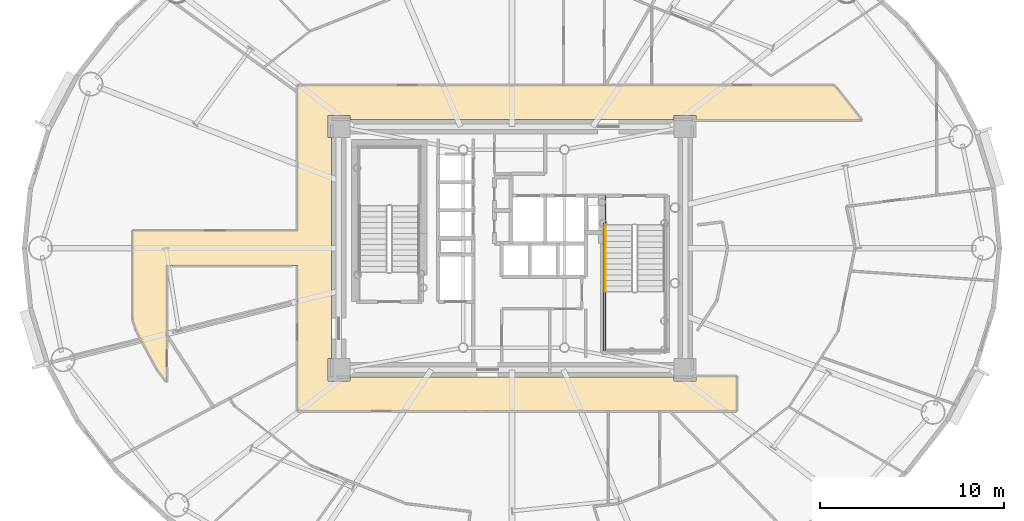
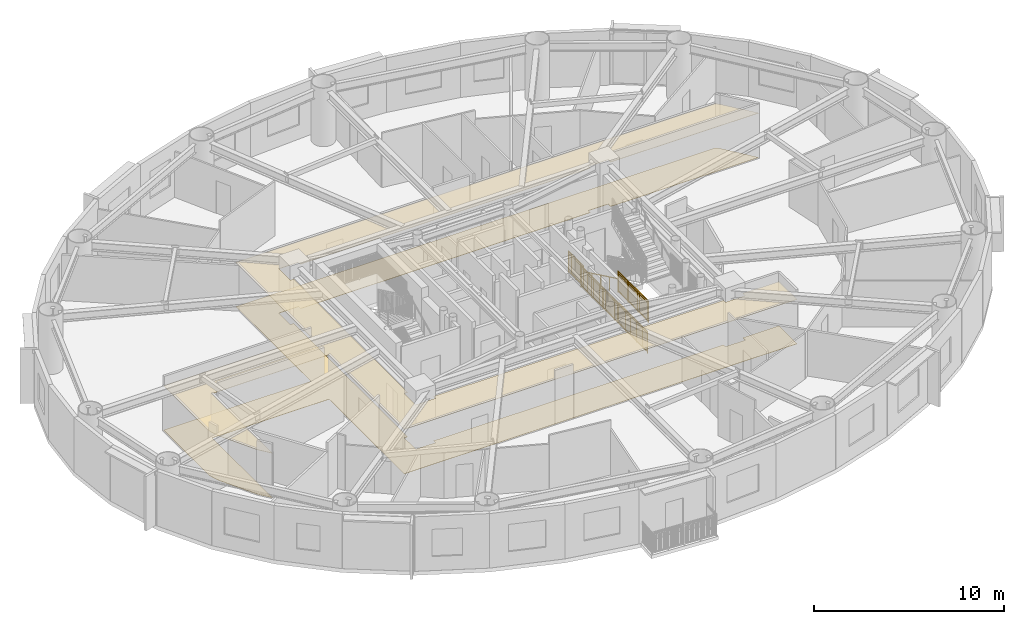
# One storey, part 16 of 19: 4 railings, 2 coverings.
"""IFC4 building model written with IfcOpenShell, lengths in metres."""

from ifc_helpers import new_model, si_unit, direction, frame, origin, origin_2d, place, context, subcontext, project, spatial, polyline, rectangle, outline, extrude, source, transform, mapped, material, layer, layer_set, type_object, element, save


model = new_model("IFC4")

# Units and contexts
model_context = context("Model", 3, precision=1e-05, world=origin(), true_north=direction((0.0, 1.0)))
body_context = subcontext(model_context, "Body", "Model", "MODEL_VIEW")
ifc_project = project(units=[si_unit("LENGTHUNIT", "METRE"), si_unit("AREAUNIT", "SQUARE_METRE"), si_unit("VOLUMEUNIT", "CUBIC_METRE"), si_unit("PLANEANGLEUNIT", "RADIAN"), si_unit("MASSUNIT", "GRAM", prefix="KILO")], contexts=[model_context])

# Site, building, storey
site_placement = place(None, origin())
site = spatial("IfcSite", under=ifc_project, at=site_placement, CompositionType="ELEMENT")
building_placement = place(site_placement, origin())
building = spatial("IfcBuilding", under=site, at=building_placement, Name="Linh Dai School and Residence Tower", CompositionType="ELEMENT")
storey_placement = place(building_placement, frame((0.0, 0.0, 193.64990234375)))
storey = spatial("IfcBuildingStorey", under=building, at=storey_placement, Name="L47", CompositionType="ELEMENT", Elevation=193.64990234375)

# Coverings
ifc_material_1 = material(Name="Mineral Fibre Acoustic Suspended Ceiling", Category="masonry")
ifc_layer_1 = layer(ifc_material_1, 0.02001953125)
ifc_layer_set_1 = layer_set([ifc_layer_1], Name="Mineral Fibre Acoustic Suspended Ceiling")
covering_type_1 = type_object("IfcCoveringType", Name="COV-CEIL-AC-20", PredefinedType="CEILING", material=ifc_layer_set_1)
covering_1_placement = place(storey_placement, frame((0.0, 0.0, 2.85009765625)))
element("IfcCovering", 1, at=covering_1_placement, inside=storey, type_object=covering_type_1, Name="L47 Residential Floor Corridor Suspended Ceiling", PredefinedType="CEILING", context=body_context, shape_type="SweptSolid", body=[
    extrude(outline(polyline([(17.25, 19.734375), (16.720458984375, 20.410888671875), (15.57421875, 22.577880859375), (15.39990234375, 23.14599609375), (15.39990234375, 27.949951171875), (24.35009765625, 27.949951171875), (24.35009765625, 35.85009765625), (53.453857421875, 35.85009765625), (53.6533203125, 35.6669921875), (54.9970703125, 33.949951171875), (46.0, 33.949951171875), (46.0, 34.199951171875), (44.800048828125, 34.199951171875), (44.800048828125, 34.0), (27.199951171875, 34.0), (27.199951171875, 34.199951171875), (26.0, 34.199951171875), (26.0, 33.0), (26.199951171875, 33.0), (26.199951171875, 21.0), (26.0, 21.0), (26.0, 19.800048828125), (27.199951171875, 19.800048828125), (27.199951171875, 20.0), (44.800048828125, 20.0), (44.800048828125, 19.800048828125), (46.0, 19.800048828125), (46.0, 20.050048828125), (48.199951171875, 20.050048828125), (48.199951171875, 18.14990234375), (24.35009765625, 18.14990234375), (24.35009765625, 26.050048828125), (17.25, 26.050048828125), (17.25, 19.734375)])), origin(), (0.0, 0.0, 1.0), 0.02001953125),
])
ifc_material_2 = material(Name="Polished Terrazzo Floor Finish", Category="masonry")
ifc_layer_2 = layer(ifc_material_2, 0.02490234375)
ifc_layer_set_2 = layer_set([ifc_layer_2], Name="Polished Terrazzo Floor Finish")
covering_type_2 = type_object("IfcCoveringType", Name="COV-FLR-TRZ-25", PredefinedType="FLOORING", material=ifc_layer_set_2)
covering_2_placement = place(storey_placement, origin())
element("IfcCovering", 2, at=covering_2_placement, inside=storey, type_object=covering_type_2, Name="L47 Residential Floor Corridor Floor Finish", PredefinedType="FLOORING", context=body_context, shape_type="SweptSolid", body=[
    extrude(outline(polyline([(17.25, 19.734375), (16.720458984375, 20.410888671875), (15.57421875, 22.577880859375), (15.39990234375, 23.14599609375), (15.39990234375, 27.949951171875), (24.35009765625, 27.949951171875), (24.35009765625, 35.85009765625), (53.453857421875, 35.85009765625), (53.6533203125, 35.6669921875), (54.9970703125, 33.949951171875), (46.0, 33.949951171875), (46.0, 34.199951171875), (44.800048828125, 34.199951171875), (44.800048828125, 34.0), (27.199951171875, 34.0), (27.199951171875, 34.199951171875), (26.0, 34.199951171875), (26.0, 33.0), (26.199951171875, 33.0), (26.199951171875, 21.0), (26.0, 21.0), (26.0, 19.800048828125), (27.199951171875, 19.800048828125), (27.199951171875, 20.0), (44.800048828125, 20.0), (44.800048828125, 19.800048828125), (46.0, 19.800048828125), (46.0, 20.050048828125), (48.199951171875, 20.050048828125), (48.199951171875, 18.14990234375), (24.35009765625, 18.14990234375), (24.35009765625, 26.050048828125), (17.25, 26.050048828125), (17.25, 19.734375)])), origin(), (0.0, 0.0, 1.0), 0.02001953125),
])

# Railings
ifc_material_3 = material(Name="Brushed Stainless Steel Handrail", Category="steel")
railing_type_1 = type_object("IfcRailingType", Name="RL-ST-HANDRAIL-900", PredefinedType="HANDRAIL", material=ifc_material_3)
shared_shape_1 = source(origin(), body_context, "Body", "SweptSolid", [
    extrude(rectangle(XDim=0.048095703125, YDim=0.048095703125, at=origin_2d()), frame((0.0, 0.0, 0.8759765625), z_axis=(0.0, -0.901262522062, 0.433273431364), x_axis=(1.0, 0.0, 0.0)), (0.0, 0.0, 1.0), 3.994384765625),
    extrude(rectangle(XDim=0.0419921875, YDim=0.0419921875, at=origin_2d()), origin(), (0.0, 0.0, 1.0), 0.8759765625),
    extrude(rectangle(XDim=0.0419921875, YDim=0.0419921875, at=origin_2d()), frame((0.0, -0.89990234375, 0.4326171875)), (0.0, 0.0, 1.0), 0.8759765625),
    extrude(rectangle(XDim=0.0419921875, YDim=0.0419921875, at=origin_2d()), frame((0.0, -1.800048828125, 0.865234375)), (0.0, 0.0, 1.0), 0.8759765625),
    extrude(rectangle(XDim=0.0419921875, YDim=0.0419921875, at=origin_2d()), frame((0.0, -2.7001953125, 1.298095703125)), (0.0, 0.0, 1.0), 0.8759765625),
    extrude(rectangle(XDim=0.0419921875, YDim=0.0419921875, at=origin_2d()), frame((0.0, -3.60009765625, 1.730712890625)), (0.0, 0.0, 1.0), 0.8759765625),
])
railing_1_placement = place(storey_placement, frame((41.070068359375, 28.25, 0.144287109375)))
element("IfcRailing", 3, at=railing_1_placement, inside=storey, type_object=railing_type_1, Name="L47 ST2 stair handrail 1", PredefinedType="HANDRAIL", context=body_context, shape_type="MappedRepresentation", body=[
    mapped(shared_shape_1, transform((0.0, 0.0, 0.0), x_axis=(1.0, 0.0, 0.0), y_axis=(0.0, 1.0, 0.0), z_axis=(0.0, 0.0, 1.0), scale=1.0)),
])
ifc_material_4 = material(Name="Structural Steel S355JR", Category="steel")
railing_type_2 = type_object("IfcRailingType", Name="RL-ST-GUARD-1400", PredefinedType="GUARDRAIL", material=ifc_material_4)
shared_shape_2 = source(origin(), body_context, "Body", "SweptSolid", [
    extrude(rectangle(XDim=0.048095703125, YDim=0.048095703125, at=origin_2d()), frame((0.0, 0.0, 1.3759765625), z_axis=(0.0, -1.0, 0.0), x_axis=(1.0, 0.0, 0.0)), (0.0, 0.0, 1.0), 1.60009765625),
    extrude(rectangle(XDim=0.048095703125, YDim=0.048095703125, at=origin_2d()), frame((0.0, 0.0, 0.10009765625), z_axis=(0.0, -1.0, 0.0), x_axis=(1.0, 0.0, 0.0)), (0.0, 0.0, 1.0), 1.60009765625),
    extrude(rectangle(XDim=0.030029296875, YDim=0.030029296875, at=origin_2d()), frame((0.0, 0.0, 1.239990234375), z_axis=(0.0, -1.0, 0.0), x_axis=(1.0, 0.0, 0.0)), (0.0, 0.0, 1.0), 1.60009765625),
    extrude(rectangle(XDim=0.02001953125, YDim=0.02001953125, at=origin_2d()), frame((0.0, -0.09423828125, 0.10009765625)), (0.0, 0.0, 1.0), 1.251708984375),
    extrude(rectangle(XDim=0.02001953125, YDim=0.02001953125, at=origin_2d()), frame((0.0, -0.188232421875, 0.10009765625)), (0.0, 0.0, 1.0), 1.251708984375),
    extrude(rectangle(XDim=0.02001953125, YDim=0.02001953125, at=origin_2d()), frame((0.0, -0.282470703125, 0.10009765625)), (0.0, 0.0, 1.0), 1.251708984375),
    extrude(rectangle(XDim=0.02001953125, YDim=0.02001953125, at=origin_2d()), frame((0.0, -0.37646484375, 0.10009765625)), (0.0, 0.0, 1.0), 1.251708984375),
    extrude(rectangle(XDim=0.02001953125, YDim=0.02001953125, at=origin_2d()), frame((0.0, -0.470703125, 0.10009765625)), (0.0, 0.0, 1.0), 1.251708984375),
    extrude(rectangle(XDim=0.02001953125, YDim=0.02001953125, at=origin_2d()), frame((0.0, -0.564697265625, 0.10009765625)), (0.0, 0.0, 1.0), 1.251708984375),
    extrude(rectangle(XDim=0.02001953125, YDim=0.02001953125, at=origin_2d()), frame((0.0, -0.658935546875, 0.10009765625)), (0.0, 0.0, 1.0), 1.251708984375),
    extrude(rectangle(XDim=0.02001953125, YDim=0.02001953125, at=origin_2d()), frame((0.0, -0.7529296875, 0.10009765625)), (0.0, 0.0, 1.0), 1.251708984375),
    extrude(rectangle(XDim=0.02001953125, YDim=0.02001953125, at=origin_2d()), frame((0.0, -0.84716796875, 0.10009765625)), (0.0, 0.0, 1.0), 1.251708984375),
    extrude(rectangle(XDim=0.02001953125, YDim=0.02001953125, at=origin_2d()), frame((0.0, -0.941162109375, 0.10009765625)), (0.0, 0.0, 1.0), 1.251708984375),
    extrude(rectangle(XDim=0.02001953125, YDim=0.02001953125, at=origin_2d()), frame((0.0, -1.035400390625, 0.10009765625)), (0.0, 0.0, 1.0), 1.251708984375),
    extrude(rectangle(XDim=0.02001953125, YDim=0.02001953125, at=origin_2d()), frame((0.0, -1.12939453125, 0.10009765625)), (0.0, 0.0, 1.0), 1.251708984375),
    extrude(rectangle(XDim=0.02001953125, YDim=0.02001953125, at=origin_2d()), frame((0.0, -1.2236328125, 0.10009765625)), (0.0, 0.0, 1.0), 1.251708984375),
    extrude(rectangle(XDim=0.02001953125, YDim=0.02001953125, at=origin_2d()), frame((0.0, -1.317626953125, 0.10009765625)), (0.0, 0.0, 1.0), 1.251708984375),
    extrude(rectangle(XDim=0.02001953125, YDim=0.02001953125, at=origin_2d()), frame((0.0, -1.411865234375, 0.10009765625)), (0.0, 0.0, 1.0), 1.251708984375),
    extrude(rectangle(XDim=0.02001953125, YDim=0.02001953125, at=origin_2d()), frame((0.0, -1.505859375, 0.10009765625)), (0.0, 0.0, 1.0), 1.251708984375),
    extrude(rectangle(XDim=0.0419921875, YDim=0.0419921875, at=origin_2d()), origin(), (0.0, 0.0, 1.0), 1.3759765625),
    extrude(rectangle(XDim=0.0419921875, YDim=0.0419921875, at=origin_2d()), frame((0.0, -0.800048828125, 0.0)), (0.0, 0.0, 1.0), 1.3759765625),
    extrude(rectangle(XDim=0.0419921875, YDim=0.0419921875, at=origin_2d()), frame((0.0, -1.60009765625, 0.0)), (0.0, 0.0, 1.0), 1.3759765625),
])
railing_2_placement = place(storey_placement, frame((41.070068359375, 29.85009765625, 0.0)))
element("IfcRailing", 4, at=railing_2_placement, inside=storey, type_object=railing_type_2, Name="L47 ST2 stair guard 8", PredefinedType="GUARDRAIL", context=body_context, shape_type="MappedRepresentation", body=[
    mapped(shared_shape_2, transform((0.0, 0.0, 0.0), x_axis=(1.0, 0.0, 0.0), y_axis=(0.0, 1.0, 0.0), z_axis=(0.0, 0.0, 1.0), scale=1.0)),
])
shared_shape_3 = source(origin(), body_context, "Body", "SweptSolid", [
    extrude(rectangle(XDim=0.048095703125, YDim=0.048095703125, at=origin_2d()), frame((0.0, 0.0, 1.3759765625), z_axis=(0.0, -1.0, 0.0), x_axis=(1.0, 0.0, 0.0)), (0.0, 0.0, 1.0), 7.0),
    extrude(rectangle(XDim=0.048095703125, YDim=0.048095703125, at=origin_2d()), frame((0.0, 0.0, 0.10009765625), z_axis=(0.0, -1.0, 0.0), x_axis=(1.0, 0.0, 0.0)), (0.0, 0.0, 1.0), 7.0),
    extrude(rectangle(XDim=0.030029296875, YDim=0.030029296875, at=origin_2d()), frame((0.0, 0.0, 1.239990234375), z_axis=(0.0, -1.0, 0.0), x_axis=(1.0, 0.0, 0.0)), (0.0, 0.0, 1.0), 7.0),
    extrude(rectangle(XDim=0.02001953125, YDim=0.02001953125, at=origin_2d()), frame((0.0, -0.09716796875, 0.10009765625)), (0.0, 0.0, 1.0), 1.251708984375),
    extrude(rectangle(XDim=0.02001953125, YDim=0.02001953125, at=origin_2d()), frame((0.0, -0.1943359375, 0.10009765625)), (0.0, 0.0, 1.0), 1.251708984375),
    extrude(rectangle(XDim=0.02001953125, YDim=0.02001953125, at=origin_2d()), frame((0.0, -0.291748046875, 0.10009765625)), (0.0, 0.0, 1.0), 1.251708984375),
    extrude(rectangle(XDim=0.02001953125, YDim=0.02001953125, at=origin_2d()), frame((0.0, -0.388916015625, 0.10009765625)), (0.0, 0.0, 1.0), 1.251708984375),
    extrude(rectangle(XDim=0.02001953125, YDim=0.02001953125, at=origin_2d()), frame((0.0, -0.486083984375, 0.10009765625)), (0.0, 0.0, 1.0), 1.251708984375),
    extrude(rectangle(XDim=0.02001953125, YDim=0.02001953125, at=origin_2d()), frame((0.0, -0.583251953125, 0.10009765625)), (0.0, 0.0, 1.0), 1.251708984375),
    extrude(rectangle(XDim=0.02001953125, YDim=0.02001953125, at=origin_2d()), frame((0.0, -0.6806640625, 0.10009765625)), (0.0, 0.0, 1.0), 1.251708984375),
    extrude(rectangle(XDim=0.02001953125, YDim=0.02001953125, at=origin_2d()), frame((0.0, -0.77783203125, 0.10009765625)), (0.0, 0.0, 1.0), 1.251708984375),
    extrude(rectangle(XDim=0.02001953125, YDim=0.02001953125, at=origin_2d()), frame((0.0, -0.875, 0.10009765625)), (0.0, 0.0, 1.0), 1.251708984375),
    extrude(rectangle(XDim=0.02001953125, YDim=0.02001953125, at=origin_2d()), frame((0.0, -0.97216796875, 0.10009765625)), (0.0, 0.0, 1.0), 1.251708984375),
    extrude(rectangle(XDim=0.02001953125, YDim=0.02001953125, at=origin_2d()), frame((0.0, -1.0693359375, 0.10009765625)), (0.0, 0.0, 1.0), 1.251708984375),
    extrude(rectangle(XDim=0.02001953125, YDim=0.02001953125, at=origin_2d()), frame((0.0, -1.263916015625, 0.10009765625)), (0.0, 0.0, 1.0), 1.251708984375),
    extrude(rectangle(XDim=0.02001953125, YDim=0.02001953125, at=origin_2d()), frame((0.0, -1.361083984375, 0.10009765625)), (0.0, 0.0, 1.0), 1.251708984375),
    extrude(rectangle(XDim=0.02001953125, YDim=0.02001953125, at=origin_2d()), frame((0.0, -1.458251953125, 0.10009765625)), (0.0, 0.0, 1.0), 1.251708984375),
    extrude(rectangle(XDim=0.02001953125, YDim=0.02001953125, at=origin_2d()), frame((0.0, -1.5556640625, 0.10009765625)), (0.0, 0.0, 1.0), 1.251708984375),
    extrude(rectangle(XDim=0.02001953125, YDim=0.02001953125, at=origin_2d()), frame((0.0, -1.65283203125, 0.10009765625)), (0.0, 0.0, 1.0), 1.251708984375),
    extrude(rectangle(XDim=0.02001953125, YDim=0.02001953125, at=origin_2d()), frame((0.0, -1.75, 0.10009765625)), (0.0, 0.0, 1.0), 1.251708984375),
    extrude(rectangle(XDim=0.02001953125, YDim=0.02001953125, at=origin_2d()), frame((0.0, -1.84716796875, 0.10009765625)), (0.0, 0.0, 1.0), 1.251708984375),
    extrude(rectangle(XDim=0.02001953125, YDim=0.02001953125, at=origin_2d()), frame((0.0, -1.9443359375, 0.10009765625)), (0.0, 0.0, 1.0), 1.251708984375),
    extrude(rectangle(XDim=0.02001953125, YDim=0.02001953125, at=origin_2d()), frame((0.0, -2.041748046875, 0.10009765625)), (0.0, 0.0, 1.0), 1.251708984375),
    extrude(rectangle(XDim=0.02001953125, YDim=0.02001953125, at=origin_2d()), frame((0.0, -2.138916015625, 0.10009765625)), (0.0, 0.0, 1.0), 1.251708984375),
    extrude(rectangle(XDim=0.02001953125, YDim=0.02001953125, at=origin_2d()), frame((0.0, -2.236083984375, 0.10009765625)), (0.0, 0.0, 1.0), 1.251708984375),
    extrude(rectangle(XDim=0.02001953125, YDim=0.02001953125, at=origin_2d()), frame((0.0, -2.4306640625, 0.10009765625)), (0.0, 0.0, 1.0), 1.251708984375),
    extrude(rectangle(XDim=0.02001953125, YDim=0.02001953125, at=origin_2d()), frame((0.0, -2.52783203125, 0.10009765625)), (0.0, 0.0, 1.0), 1.251708984375),
    extrude(rectangle(XDim=0.02001953125, YDim=0.02001953125, at=origin_2d()), frame((0.0, -2.625, 0.10009765625)), (0.0, 0.0, 1.0), 1.251708984375),
    extrude(rectangle(XDim=0.02001953125, YDim=0.02001953125, at=origin_2d()), frame((0.0, -2.72216796875, 0.10009765625)), (0.0, 0.0, 1.0), 1.251708984375),
    extrude(rectangle(XDim=0.02001953125, YDim=0.02001953125, at=origin_2d()), frame((0.0, -2.8193359375, 0.10009765625)), (0.0, 0.0, 1.0), 1.251708984375),
    extrude(rectangle(XDim=0.02001953125, YDim=0.02001953125, at=origin_2d()), frame((0.0, -2.916748046875, 0.10009765625)), (0.0, 0.0, 1.0), 1.251708984375),
    extrude(rectangle(XDim=0.02001953125, YDim=0.02001953125, at=origin_2d()), frame((0.0, -3.013916015625, 0.10009765625)), (0.0, 0.0, 1.0), 1.251708984375),
    extrude(rectangle(XDim=0.02001953125, YDim=0.02001953125, at=origin_2d()), frame((0.0, -3.111083984375, 0.10009765625)), (0.0, 0.0, 1.0), 1.251708984375),
    extrude(rectangle(XDim=0.02001953125, YDim=0.02001953125, at=origin_2d()), frame((0.0, -3.208251953125, 0.10009765625)), (0.0, 0.0, 1.0), 1.251708984375),
    extrude(rectangle(XDim=0.02001953125, YDim=0.02001953125, at=origin_2d()), frame((0.0, -3.3056640625, 0.10009765625)), (0.0, 0.0, 1.0), 1.251708984375),
    extrude(rectangle(XDim=0.02001953125, YDim=0.02001953125, at=origin_2d()), frame((0.0, -3.40283203125, 0.10009765625)), (0.0, 0.0, 1.0), 1.251708984375),
    extrude(rectangle(XDim=0.02001953125, YDim=0.02001953125, at=origin_2d()), frame((0.0, -3.59716796875, 0.10009765625)), (0.0, 0.0, 1.0), 1.251708984375),
    extrude(rectangle(XDim=0.02001953125, YDim=0.02001953125, at=origin_2d()), frame((0.0, -3.6943359375, 0.10009765625)), (0.0, 0.0, 1.0), 1.251708984375),
    extrude(rectangle(XDim=0.02001953125, YDim=0.02001953125, at=origin_2d()), frame((0.0, -3.791748046875, 0.10009765625)), (0.0, 0.0, 1.0), 1.251708984375),
    extrude(rectangle(XDim=0.02001953125, YDim=0.02001953125, at=origin_2d()), frame((0.0, -3.888916015625, 0.10009765625)), (0.0, 0.0, 1.0), 1.251708984375),
    extrude(rectangle(XDim=0.02001953125, YDim=0.02001953125, at=origin_2d()), frame((0.0, -3.986083984375, 0.10009765625)), (0.0, 0.0, 1.0), 1.251708984375),
    extrude(rectangle(XDim=0.02001953125, YDim=0.02001953125, at=origin_2d()), frame((0.0, -4.083251953125, 0.10009765625)), (0.0, 0.0, 1.0), 1.251708984375),
    extrude(rectangle(XDim=0.02001953125, YDim=0.02001953125, at=origin_2d()), frame((0.0, -4.1806640625, 0.10009765625)), (0.0, 0.0, 1.0), 1.251708984375),
    extrude(rectangle(XDim=0.02001953125, YDim=0.02001953125, at=origin_2d()), frame((0.0, -4.27783203125, 0.10009765625)), (0.0, 0.0, 1.0), 1.251708984375),
    extrude(rectangle(XDim=0.02001953125, YDim=0.02001953125, at=origin_2d()), frame((0.0, -4.375, 0.10009765625)), (0.0, 0.0, 1.0), 1.251708984375),
    extrude(rectangle(XDim=0.02001953125, YDim=0.02001953125, at=origin_2d()), frame((0.0, -4.47216796875, 0.10009765625)), (0.0, 0.0, 1.0), 1.251708984375),
    extrude(rectangle(XDim=0.02001953125, YDim=0.02001953125, at=origin_2d()), frame((0.0, -4.5693359375, 0.10009765625)), (0.0, 0.0, 1.0), 1.251708984375),
    extrude(rectangle(XDim=0.02001953125, YDim=0.02001953125, at=origin_2d()), frame((0.0, -4.763916015625, 0.10009765625)), (0.0, 0.0, 1.0), 1.251708984375),
    extrude(rectangle(XDim=0.02001953125, YDim=0.02001953125, at=origin_2d()), frame((0.0, -4.861083984375, 0.10009765625)), (0.0, 0.0, 1.0), 1.251708984375),
    extrude(rectangle(XDim=0.02001953125, YDim=0.02001953125, at=origin_2d()), frame((0.0, -4.958251953125, 0.10009765625)), (0.0, 0.0, 1.0), 1.251708984375),
    extrude(rectangle(XDim=0.02001953125, YDim=0.02001953125, at=origin_2d()), frame((0.0, -5.0556640625, 0.10009765625)), (0.0, 0.0, 1.0), 1.251708984375),
    extrude(rectangle(XDim=0.02001953125, YDim=0.02001953125, at=origin_2d()), frame((0.0, -5.15283203125, 0.10009765625)), (0.0, 0.0, 1.0), 1.251708984375),
    extrude(rectangle(XDim=0.02001953125, YDim=0.02001953125, at=origin_2d()), frame((0.0, -5.25, 0.10009765625)), (0.0, 0.0, 1.0), 1.251708984375),
    extrude(rectangle(XDim=0.02001953125, YDim=0.02001953125, at=origin_2d()), frame((0.0, -5.34716796875, 0.10009765625)), (0.0, 0.0, 1.0), 1.251708984375),
    extrude(rectangle(XDim=0.02001953125, YDim=0.02001953125, at=origin_2d()), frame((0.0, -5.4443359375, 0.10009765625)), (0.0, 0.0, 1.0), 1.251708984375),
    extrude(rectangle(XDim=0.02001953125, YDim=0.02001953125, at=origin_2d()), frame((0.0, -5.541748046875, 0.10009765625)), (0.0, 0.0, 1.0), 1.251708984375),
    extrude(rectangle(XDim=0.02001953125, YDim=0.02001953125, at=origin_2d()), frame((0.0, -5.638916015625, 0.10009765625)), (0.0, 0.0, 1.0), 1.251708984375),
    extrude(rectangle(XDim=0.02001953125, YDim=0.02001953125, at=origin_2d()), frame((0.0, -5.736083984375, 0.10009765625)), (0.0, 0.0, 1.0), 1.251708984375),
    extrude(rectangle(XDim=0.02001953125, YDim=0.02001953125, at=origin_2d()), frame((0.0, -5.9306640625, 0.10009765625)), (0.0, 0.0, 1.0), 1.251708984375),
    extrude(rectangle(XDim=0.02001953125, YDim=0.02001953125, at=origin_2d()), frame((0.0, -6.02783203125, 0.10009765625)), (0.0, 0.0, 1.0), 1.251708984375),
    extrude(rectangle(XDim=0.02001953125, YDim=0.02001953125, at=origin_2d()), frame((0.0, -6.125, 0.10009765625)), (0.0, 0.0, 1.0), 1.251708984375),
    extrude(rectangle(XDim=0.02001953125, YDim=0.02001953125, at=origin_2d()), frame((0.0, -6.22216796875, 0.10009765625)), (0.0, 0.0, 1.0), 1.251708984375),
    extrude(rectangle(XDim=0.02001953125, YDim=0.02001953125, at=origin_2d()), frame((0.0, -6.3193359375, 0.10009765625)), (0.0, 0.0, 1.0), 1.251708984375),
    extrude(rectangle(XDim=0.02001953125, YDim=0.02001953125, at=origin_2d()), frame((0.0, -6.416748046875, 0.10009765625)), (0.0, 0.0, 1.0), 1.251708984375),
    extrude(rectangle(XDim=0.02001953125, YDim=0.02001953125, at=origin_2d()), frame((0.0, -6.513916015625, 0.10009765625)), (0.0, 0.0, 1.0), 1.251708984375),
    extrude(rectangle(XDim=0.02001953125, YDim=0.02001953125, at=origin_2d()), frame((0.0, -6.611083984375, 0.10009765625)), (0.0, 0.0, 1.0), 1.251708984375),
    extrude(rectangle(XDim=0.02001953125, YDim=0.02001953125, at=origin_2d()), frame((0.0, -6.708251953125, 0.10009765625)), (0.0, 0.0, 1.0), 1.251708984375),
    extrude(rectangle(XDim=0.02001953125, YDim=0.02001953125, at=origin_2d()), frame((0.0, -6.8056640625, 0.10009765625)), (0.0, 0.0, 1.0), 1.251708984375),
    extrude(rectangle(XDim=0.02001953125, YDim=0.02001953125, at=origin_2d()), frame((0.0, -6.90283203125, 0.10009765625)), (0.0, 0.0, 1.0), 1.251708984375),
    extrude(rectangle(XDim=0.0419921875, YDim=0.0419921875, at=origin_2d()), origin(), (0.0, 0.0, 1.0), 1.3759765625),
    extrude(rectangle(XDim=0.0419921875, YDim=0.0419921875, at=origin_2d()), frame((0.0, -1.166748046875, 0.0)), (0.0, 0.0, 1.0), 1.3759765625),
    extrude(rectangle(XDim=0.0419921875, YDim=0.0419921875, at=origin_2d()), frame((0.0, -2.333251953125, 0.0)), (0.0, 0.0, 1.0), 1.3759765625),
    extrude(rectangle(XDim=0.0419921875, YDim=0.0419921875, at=origin_2d()), frame((0.0, -3.5, 0.0)), (0.0, 0.0, 1.0), 1.3759765625),
    extrude(rectangle(XDim=0.0419921875, YDim=0.0419921875, at=origin_2d()), frame((0.0, -4.666748046875, 0.0)), (0.0, 0.0, 1.0), 1.3759765625),
    extrude(rectangle(XDim=0.0419921875, YDim=0.0419921875, at=origin_2d()), frame((0.0, -5.833251953125, 0.0)), (0.0, 0.0, 1.0), 1.3759765625),
    extrude(rectangle(XDim=0.0419921875, YDim=0.0419921875, at=origin_2d()), frame((0.0, -7.0, 0.0)), (0.0, 0.0, 1.0), 1.3759765625),
])
railing_3_placement = place(storey_placement, frame((40.969970703125, 28.35009765625, 0.0)))
element("IfcRailing", 5, at=railing_3_placement, inside=storey, type_object=railing_type_2, Name="L47 ST2 stair guard 10", PredefinedType="GUARDRAIL", context=body_context, shape_type="MappedRepresentation", body=[
    mapped(shared_shape_3, transform((0.0, 0.0, 0.0), x_axis=(1.0, 0.0, 0.0), y_axis=(0.0, 1.0, 0.0), z_axis=(0.0, 0.0, 1.0), scale=1.0)),
])
shared_shape_4 = source(origin(), body_context, "Body", "SweptSolid", [
    extrude(rectangle(XDim=0.048095703125, YDim=0.048095703125, at=origin_2d()), frame((0.0, 0.0, 1.3759765625), z_axis=(0.0, -1.0, 0.0), x_axis=(1.0, 0.0, 0.0)), (0.0, 0.0, 1.0), 3.199951171875),
    extrude(rectangle(XDim=0.048095703125, YDim=0.048095703125, at=origin_2d()), frame((0.0, 0.0, 0.10009765625), z_axis=(0.0, -1.0, 0.0), x_axis=(1.0, 0.0, 0.0)), (0.0, 0.0, 1.0), 3.199951171875),
    extrude(rectangle(XDim=0.030029296875, YDim=0.030029296875, at=origin_2d()), frame((0.0, 0.0, 1.239990234375), z_axis=(0.0, -1.0, 0.0), x_axis=(1.0, 0.0, 0.0)), (0.0, 0.0, 1.0), 3.199951171875),
    extrude(rectangle(XDim=0.02001953125, YDim=0.02001953125, at=origin_2d()), frame((0.0, -0.096923828125, 0.10009765625)), (0.0, 0.0, 1.0), 1.251708984375),
    extrude(rectangle(XDim=0.02001953125, YDim=0.02001953125, at=origin_2d()), frame((0.0, -0.19384765625, 0.10009765625)), (0.0, 0.0, 1.0), 1.251708984375),
    extrude(rectangle(XDim=0.02001953125, YDim=0.02001953125, at=origin_2d()), frame((0.0, -0.291015625, 0.10009765625)), (0.0, 0.0, 1.0), 1.251708984375),
    extrude(rectangle(XDim=0.02001953125, YDim=0.02001953125, at=origin_2d()), frame((0.0, -0.387939453125, 0.10009765625)), (0.0, 0.0, 1.0), 1.251708984375),
    extrude(rectangle(XDim=0.02001953125, YDim=0.02001953125, at=origin_2d()), frame((0.0, -0.48486328125, 0.10009765625)), (0.0, 0.0, 1.0), 1.251708984375),
    extrude(rectangle(XDim=0.02001953125, YDim=0.02001953125, at=origin_2d()), frame((0.0, -0.581787109375, 0.10009765625)), (0.0, 0.0, 1.0), 1.251708984375),
    extrude(rectangle(XDim=0.02001953125, YDim=0.02001953125, at=origin_2d()), frame((0.0, -0.6787109375, 0.10009765625)), (0.0, 0.0, 1.0), 1.251708984375),
    extrude(rectangle(XDim=0.02001953125, YDim=0.02001953125, at=origin_2d()), frame((0.0, -0.775634765625, 0.10009765625)), (0.0, 0.0, 1.0), 1.251708984375),
    extrude(rectangle(XDim=0.02001953125, YDim=0.02001953125, at=origin_2d()), frame((0.0, -0.872802734375, 0.10009765625)), (0.0, 0.0, 1.0), 1.251708984375),
    extrude(rectangle(XDim=0.02001953125, YDim=0.02001953125, at=origin_2d()), frame((0.0, -0.9697265625, 0.10009765625)), (0.0, 0.0, 1.0), 1.251708984375),
    extrude(rectangle(XDim=0.02001953125, YDim=0.02001953125, at=origin_2d()), frame((0.0, -1.16357421875, 0.10009765625)), (0.0, 0.0, 1.0), 1.251708984375),
    extrude(rectangle(XDim=0.02001953125, YDim=0.02001953125, at=origin_2d()), frame((0.0, -1.260498046875, 0.10009765625)), (0.0, 0.0, 1.0), 1.251708984375),
    extrude(rectangle(XDim=0.02001953125, YDim=0.02001953125, at=origin_2d()), frame((0.0, -1.357666015625, 0.10009765625)), (0.0, 0.0, 1.0), 1.251708984375),
    extrude(rectangle(XDim=0.02001953125, YDim=0.02001953125, at=origin_2d()), frame((0.0, -1.45458984375, 0.10009765625)), (0.0, 0.0, 1.0), 1.251708984375),
    extrude(rectangle(XDim=0.02001953125, YDim=0.02001953125, at=origin_2d()), frame((0.0, -1.551513671875, 0.10009765625)), (0.0, 0.0, 1.0), 1.251708984375),
    extrude(rectangle(XDim=0.02001953125, YDim=0.02001953125, at=origin_2d()), frame((0.0, -1.6484375, 0.10009765625)), (0.0, 0.0, 1.0), 1.251708984375),
    extrude(rectangle(XDim=0.02001953125, YDim=0.02001953125, at=origin_2d()), frame((0.0, -1.745361328125, 0.10009765625)), (0.0, 0.0, 1.0), 1.251708984375),
    extrude(rectangle(XDim=0.02001953125, YDim=0.02001953125, at=origin_2d()), frame((0.0, -1.84228515625, 0.10009765625)), (0.0, 0.0, 1.0), 1.251708984375),
    extrude(rectangle(XDim=0.02001953125, YDim=0.02001953125, at=origin_2d()), frame((0.0, -1.939453125, 0.10009765625)), (0.0, 0.0, 1.0), 1.251708984375),
    extrude(rectangle(XDim=0.02001953125, YDim=0.02001953125, at=origin_2d()), frame((0.0, -2.036376953125, 0.10009765625)), (0.0, 0.0, 1.0), 1.251708984375),
    extrude(rectangle(XDim=0.02001953125, YDim=0.02001953125, at=origin_2d()), frame((0.0, -2.230224609375, 0.10009765625)), (0.0, 0.0, 1.0), 1.251708984375),
    extrude(rectangle(XDim=0.02001953125, YDim=0.02001953125, at=origin_2d()), frame((0.0, -2.3271484375, 0.10009765625)), (0.0, 0.0, 1.0), 1.251708984375),
    extrude(rectangle(XDim=0.02001953125, YDim=0.02001953125, at=origin_2d()), frame((0.0, -2.42431640625, 0.10009765625)), (0.0, 0.0, 1.0), 1.251708984375),
    extrude(rectangle(XDim=0.02001953125, YDim=0.02001953125, at=origin_2d()), frame((0.0, -2.521240234375, 0.10009765625)), (0.0, 0.0, 1.0), 1.251708984375),
    extrude(rectangle(XDim=0.02001953125, YDim=0.02001953125, at=origin_2d()), frame((0.0, -2.6181640625, 0.10009765625)), (0.0, 0.0, 1.0), 1.251708984375),
    extrude(rectangle(XDim=0.02001953125, YDim=0.02001953125, at=origin_2d()), frame((0.0, -2.715087890625, 0.10009765625)), (0.0, 0.0, 1.0), 1.251708984375),
    extrude(rectangle(XDim=0.02001953125, YDim=0.02001953125, at=origin_2d()), frame((0.0, -2.81201171875, 0.10009765625)), (0.0, 0.0, 1.0), 1.251708984375),
    extrude(rectangle(XDim=0.02001953125, YDim=0.02001953125, at=origin_2d()), frame((0.0, -2.908935546875, 0.10009765625)), (0.0, 0.0, 1.0), 1.251708984375),
    extrude(rectangle(XDim=0.02001953125, YDim=0.02001953125, at=origin_2d()), frame((0.0, -3.006103515625, 0.10009765625)), (0.0, 0.0, 1.0), 1.251708984375),
    extrude(rectangle(XDim=0.02001953125, YDim=0.02001953125, at=origin_2d()), frame((0.0, -3.10302734375, 0.10009765625)), (0.0, 0.0, 1.0), 1.251708984375),
    extrude(rectangle(XDim=0.0419921875, YDim=0.0419921875, at=origin_2d()), origin(), (0.0, 0.0, 1.0), 1.3759765625),
    extrude(rectangle(XDim=0.0419921875, YDim=0.0419921875, at=origin_2d()), frame((0.0, -1.066650390625, 0.0)), (0.0, 0.0, 1.0), 1.3759765625),
    extrude(rectangle(XDim=0.0419921875, YDim=0.0419921875, at=origin_2d()), frame((0.0, -2.13330078125, 0.0)), (0.0, 0.0, 1.0), 1.3759765625),
    extrude(rectangle(XDim=0.0419921875, YDim=0.0419921875, at=origin_2d()), frame((0.0, -3.199951171875, 0.0)), (0.0, 0.0, 1.0), 1.3759765625),
])
railing_4_placement = place(storey_placement, frame((41.070068359375, 24.64990234375, 1.875)))
element("IfcRailing", 6, at=railing_4_placement, inside=storey, type_object=railing_type_2, Name="L47 ST2 stair guard 3", PredefinedType="GUARDRAIL", context=body_context, shape_type="MappedRepresentation", body=[
    mapped(shared_shape_4, transform((0.0, 0.0, 0.0), x_axis=(1.0, 0.0, 0.0), y_axis=(0.0, 1.0, 0.0), z_axis=(0.0, 0.0, 1.0), scale=1.0)),
])

save(model, "model.ifc")
